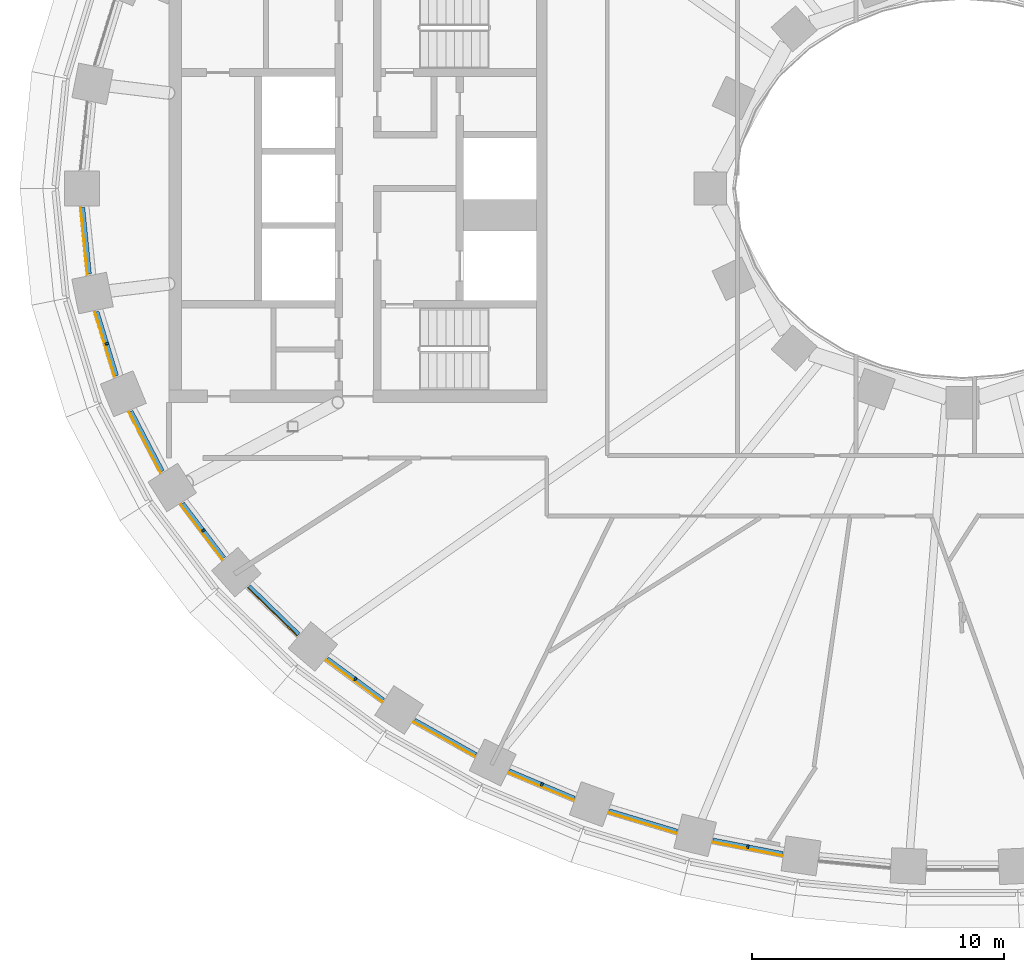
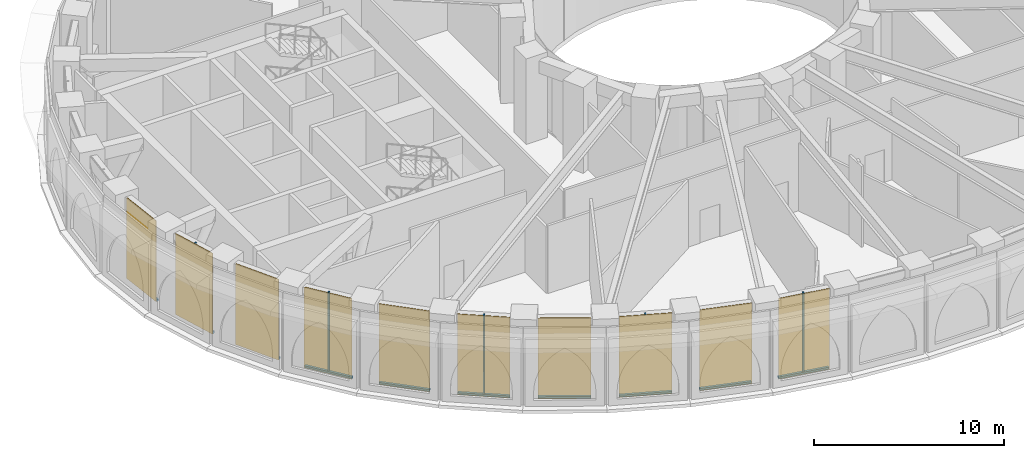
# One storey, part 12 of 25: 15 members, 10 curtain walls.
"""IFC4 building model written with IfcOpenShell, lengths in metres."""

from ifc_helpers import new_model, si_unit, direction, frame, origin, origin_2d, place, context, subcontext, project, spatial, polyline, rectangle, outline, extrude, material, layer, layer_set, material_profile, profile_set, type_object, element, aggregate, save


model = new_model("IFC4")

# Units and contexts
model_context = context("Model", 3, precision=1e-05, world=origin(), true_north=direction((0.0, 1.0)))
body_context = subcontext(model_context, "Body", "Model", "MODEL_VIEW")
ifc_project = project(units=[si_unit("LENGTHUNIT", "METRE"), si_unit("AREAUNIT", "SQUARE_METRE"), si_unit("VOLUMEUNIT", "CUBIC_METRE"), si_unit("PLANEANGLEUNIT", "RADIAN"), si_unit("MASSUNIT", "GRAM", prefix="KILO")], contexts=[model_context])

# Member
ifc_material_1 = material(Name="Aluminium 6063-T6 black anodised", Category="aluminium")
ifc_material_profile = material_profile(ifc_material_1, rectangle(XDim=0.14990234375, YDim=0.080078125, at=origin_2d()), Name="150x80")
ifc_profile_set = profile_set([ifc_material_profile], Name="Aluminium 6063-T6 black anodised")
member_type_1 = type_object("IfcMemberType", Name="ENV-MULLION-B-150", PredefinedType="MULLION", material=ifc_profile_set)
site_placement = place(None, origin())
building_placement = place(site_placement, origin())
storey_placement = place(building_placement, frame((0.0, 0.0, 82.5)))
member_1_placement = place(storey_placement, frame((-33.957275390625, -6.162109375, 0.1201171875), z_axis=(0.0, 0.0, 1.0), x_axis=(0.95636637957, 0.292170066961, 0.0)))
member_1 = element("IfcMember", 1, at=member_1_placement, type_object=member_type_1, Name="Mullion B chord 25", PredefinedType="MULLION", context=body_context, shape_type="SweptSolid", body=[
    extrude(rectangle(XDim=0.14990234375, YDim=0.080078125, at=origin_2d()), origin(), (0.0, 0.0, 1.0), 5.079833984375),
])

member_2_placement = place(storey_placement, frame((-30.12646484375, -13.576171875, 0.1201171875), z_axis=(0.0, 0.0, 1.0), x_axis=(0.796969018776, 0.604020184358, 0.0)))
member_2 = element("IfcMember", 2, at=member_2_placement, type_object=member_type_1, Name="Mullion B chord 27", PredefinedType="MULLION", context=body_context, shape_type="SweptSolid", body=[
    extrude(rectangle(XDim=0.14990234375, YDim=0.080078125, at=origin_2d()), origin(), (0.0, 0.0, 1.0), 5.079833984375),
])

member_3_placement = place(storey_placement, frame((-24.098388671875, -19.474365234375, 0.1201171875), z_axis=(0.0, 0.0, 1.0), x_axis=(0.593067090304, 0.805153045326, 0.0)))
member_3 = element("IfcMember", 3, at=member_3_placement, type_object=member_type_1, Name="Mullion B chord 29", PredefinedType="MULLION", context=body_context, shape_type="SweptSolid", body=[
    extrude(rectangle(XDim=0.14990234375, YDim=0.080078125, at=origin_2d()), origin(), (0.0, 0.0, 1.0), 5.079833984375),
])

member_4_placement = place(storey_placement, frame((-16.69482421875, -23.652587890625, 0.1201171875), z_axis=(0.0, 0.0, 1.0), x_axis=(0.387638279686, 0.921811566494, 0.0)))
member_4 = element("IfcMember", 4, at=member_4_placement, type_object=member_type_1, Name="Mullion B chord 31", PredefinedType="MULLION", context=body_context, shape_type="SweptSolid", body=[
    extrude(rectangle(XDim=0.14990234375, YDim=0.080078125, at=origin_2d()), origin(), (0.0, 0.0, 1.0), 5.079833984375),
])

member_5_placement = place(storey_placement, frame((-8.51953125, -26.12451171875, 0.1201171875), z_axis=(0.0, 0.0, 1.0), x_axis=(0.190820470077, 0.981624952922, 0.0)))
member_5 = element("IfcMember", 5, at=member_5_placement, type_object=member_type_1, Name="Mullion B chord 33", PredefinedType="MULLION", context=body_context, shape_type="SweptSolid", body=[
    extrude(rectangle(XDim=0.14990234375, YDim=0.080078125, at=origin_2d()), origin(), (0.0, 0.0, 1.0), 5.079833984375),
])

ifc_material_2 = material(Name="Aluminium 6063-T6 black anodised", Category="aluminium")
member_type_2 = type_object("IfcMemberType", Name="ENV-TRANSOM-B", PredefinedType="USERDEFINED", material=ifc_material_2)
member_6_placement = place(storey_placement, origin())
member_6 = element("IfcMember", 6, at=member_6_placement, type_object=member_type_2, Name="Transom B radial 24-25", ObjectType="TRANSOM", PredefinedType="USERDEFINED", context=body_context, shape_type="SweptSolid", body=[
    extrude(outline(polyline([(-34.986572265625, -0.7626953125), (-34.7197265625, -3.412841796875), (-34.572021484375, -3.383056640625), (-34.835693359375, -0.7626953125), (-34.986572265625, -0.7626953125)])), origin(), (0.0, 0.0, 1.0), 0.1201171875),
])

member_7_placement = place(storey_placement, origin())
member_7 = element("IfcMember", 7, at=member_7_placement, type_object=member_type_2, Name="Transom B radial 25-26", ObjectType="TRANSOM", PredefinedType="USERDEFINED", context=body_context, shape_type="SweptSolid", body=[
    extrude(outline(polyline([(-34.41943359375, -4.90576171875), (-33.63720703125, -7.46630859375), (-33.497802734375, -7.4091796875), (-34.271728515625, -4.876220703125), (-34.41943359375, -4.90576171875)])), origin(), (0.0, 0.0, 1.0), 0.1201171875),
])

member_8_placement = place(storey_placement, origin())
member_8 = element("IfcMember", 8, at=member_8_placement, type_object=member_type_2, Name="Transom B radial 26-27", ObjectType="TRANSOM", PredefinedType="USERDEFINED", context=body_context, shape_type="SweptSolid", body=[
    extrude(outline(polyline([(-33.06298828125, -8.869384765625), (-31.814697265625, -11.263916015625), (-31.6875, -11.183349609375), (-32.923583984375, -8.812255859375), (-33.06298828125, -8.869384765625)])), origin(), (0.0, 0.0, 1.0), 0.1201171875),
])

member_9_placement = place(storey_placement, origin())
member_9 = element("IfcMember", 9, at=member_9_placement, type_object=member_type_2, Name="Transom B radial 27-28", ObjectType="TRANSOM", PredefinedType="USERDEFINED", context=body_context, shape_type="SweptSolid", body=[
    extrude(outline(polyline([(-31.00830078125, -12.537109375), (-29.361083984375, -14.710693359375), (-29.248291015625, -14.61083984375), (-30.881103515625, -12.456298828125), (-31.00830078125, -12.537109375)])), origin(), (0.0, 0.0, 1.0), 0.1201171875),
])

member_10_placement = place(storey_placement, origin())
member_10 = element("IfcMember", 10, at=member_10_placement, type_object=member_type_2, Name="Transom B radial 28-29", ObjectType="TRANSOM", PredefinedType="USERDEFINED", context=body_context, shape_type="SweptSolid", body=[
    extrude(outline(polyline([(-28.368896484375, -15.83203125), (-26.394287109375, -17.750732421875), (-26.297119140625, -17.635986328125), (-28.25634765625, -15.732421875), (-28.368896484375, -15.83203125)])), origin(), (0.0, 0.0, 1.0), 0.1201171875),
])

member_11_placement = place(storey_placement, origin())
member_11 = element("IfcMember", 11, at=member_11_placement, type_object=member_type_2, Name="Transom B radial 29-30", ObjectType="TRANSOM", PredefinedType="USERDEFINED", context=body_context, shape_type="SweptSolid", body=[
    extrude(outline(polyline([(-25.258544921875, -18.712890625), (-23.0234375, -20.359375), (-22.94189453125, -20.233154296875), (-25.161376953125, -18.59814453125), (-25.258544921875, -18.712890625)])), origin(), (0.0, 0.0, 1.0), 0.1201171875),
])

member_12_placement = place(storey_placement, origin())
member_12 = element("IfcMember", 12, at=member_12_placement, type_object=member_type_2, Name="Transom B radial 30-31", ObjectType="TRANSOM", PredefinedType="USERDEFINED", context=body_context, shape_type="SweptSolid", body=[
    extrude(outline(polyline([(-21.779296875, -21.162353515625), (-19.34228515625, -22.530029296875), (-19.276123046875, -22.395263671875), (-21.69775390625, -21.0361328125), (-21.779296875, -21.162353515625)])), origin(), (0.0, 0.0, 1.0), 0.1201171875),
])

member_13_placement = place(storey_placement, origin())
member_13 = element("IfcMember", 13, at=member_13_placement, type_object=member_type_2, Name="Transom B radial 31-32", ObjectType="TRANSOM", PredefinedType="USERDEFINED", context=body_context, shape_type="SweptSolid", body=[
    extrude(outline(polyline([(-18.017333984375, -23.177734375), (-15.427978515625, -24.266845703125), (-15.377197265625, -24.12548828125), (-17.951416015625, -23.04296875), (-18.017333984375, -23.177734375)])), origin(), (0.0, 0.0, 1.0), 0.1201171875),
])

member_14_placement = place(storey_placement, origin())
member_14 = element("IfcMember", 14, at=member_14_placement, type_object=member_type_2, Name="Transom B radial 32-33", ObjectType="TRANSOM", PredefinedType="USERDEFINED", context=body_context, shape_type="SweptSolid", body=[
    extrude(outline(polyline([(-14.044677734375, -24.76416015625), (-11.344482421875, -25.57666015625), (-11.30859375, -25.430908203125), (-13.993896484375, -24.622802734375), (-14.044677734375, -24.76416015625)])), origin(), (0.0, 0.0, 1.0), 0.1201171875),
])

member_15_placement = place(storey_placement, origin())
member_15 = element("IfcMember", 15, at=member_15_placement, type_object=member_type_2, Name="Transom B radial 33-34", ObjectType="TRANSOM", PredefinedType="USERDEFINED", context=body_context, shape_type="SweptSolid", body=[
    extrude(outline(polyline([(-9.9208984375, -25.928466796875), (-7.145751953125, -26.468017578125), (-7.124267578125, -26.319091796875), (-9.884765625, -25.78271484375), (-9.9208984375, -25.928466796875)])), origin(), (0.0, 0.0, 1.0), 0.1201171875),
])

# Site, building, storey
site = spatial("IfcSite", under=ifc_project, at=site_placement, CompositionType="ELEMENT")
building = spatial("IfcBuilding", under=site, at=building_placement, Name="Noorbagh Ring Tower", CompositionType="ELEMENT")
storey = spatial("IfcBuildingStorey", under=building, at=storey_placement, Name="L18", CompositionType="ELEMENT", Elevation=82.5)

# Curtain wall
ifc_material_3 = material(Name="Glass dark tinted laminated", Category="glass")
ifc_layer = layer(ifc_material_3, 0.031982421875)
ifc_layer_set = layer_set([ifc_layer], Name="Glass dark tinted laminated")
curtain_wall_type = type_object("IfcCurtainWallType", Name="ENV-CW-B", PredefinedType="NOTDEFINED", material=ifc_layer_set)
curtain_wall_1_placement = place(storey_placement, origin())
curtain_wall_1 = element("IfcCurtainWall", 16, at=curtain_wall_1_placement, inside=storey, type_object=curtain_wall_type, Name="Curtain wall B R24", PredefinedType="NOTDEFINED", context=body_context, shape_type="SweptSolid", body=[
    extrude(outline(polyline([(-35.018798828125, -0.7626953125), (-34.751220703125, -3.419189453125), (-34.7197265625, -3.412841796875), (-34.986572265625, -0.7626953125), (-35.018798828125, -0.7626953125)])), origin(), (0.0, 0.0, 1.0), 5.199951171875),
])

aggregate(curtain_wall_1, [member_6])

curtain_wall_2_placement = place(storey_placement, origin())
curtain_wall_2 = element("IfcCurtainWall", 17, at=curtain_wall_2_placement, inside=storey, type_object=curtain_wall_type, Name="Curtain wall B R25", PredefinedType="NOTDEFINED", context=body_context, shape_type="SweptSolid", body=[
    extrude(outline(polyline([(-34.450927734375, -4.912109375), (-33.6669921875, -7.478515625), (-33.63720703125, -7.46630859375), (-34.41943359375, -4.90576171875), (-34.450927734375, -4.912109375)])), origin(), (0.0, 0.0, 1.0), 5.199951171875),
])

aggregate(curtain_wall_2, [member_1, member_7])

curtain_wall_3_placement = place(storey_placement, origin())
curtain_wall_3 = element("IfcCurtainWall", 18, at=curtain_wall_3_placement, inside=storey, type_object=curtain_wall_type, Name="Curtain wall B R26", PredefinedType="NOTDEFINED", context=body_context, shape_type="SweptSolid", body=[
    extrude(outline(polyline([(-33.0927734375, -8.88134765625), (-31.841796875, -11.281005859375), (-31.814697265625, -11.263916015625), (-33.06298828125, -8.869384765625), (-33.0927734375, -8.88134765625)])), origin(), (0.0, 0.0, 1.0), 5.199951171875),
])

aggregate(curtain_wall_3, [member_8])

curtain_wall_4_placement = place(storey_placement, origin())
curtain_wall_4 = element("IfcCurtainWall", 19, at=curtain_wall_4_placement, inside=storey, type_object=curtain_wall_type, Name="Curtain wall B R27", PredefinedType="NOTDEFINED", context=body_context, shape_type="SweptSolid", body=[
    extrude(outline(polyline([(-31.035400390625, -12.55419921875), (-29.385009765625, -14.731689453125), (-29.361083984375, -14.710693359375), (-31.00830078125, -12.537109375), (-31.035400390625, -12.55419921875)])), origin(), (0.0, 0.0, 1.0), 5.199951171875),
])

aggregate(curtain_wall_4, [member_2, member_9])

curtain_wall_5_placement = place(storey_placement, origin())
curtain_wall_5 = element("IfcCurtainWall", 20, at=curtain_wall_5_placement, inside=storey, type_object=curtain_wall_type, Name="Curtain wall B R28", PredefinedType="NOTDEFINED", context=body_context, shape_type="SweptSolid", body=[
    extrude(outline(polyline([(-28.39306640625, -15.853515625), (-26.414794921875, -17.775146484375), (-26.394287109375, -17.750732421875), (-28.368896484375, -15.83203125), (-28.39306640625, -15.853515625)])), origin(), (0.0, 0.0, 1.0), 5.199951171875),
])

aggregate(curtain_wall_5, [member_10])

curtain_wall_6_placement = place(storey_placement, origin())
curtain_wall_6 = element("IfcCurtainWall", 21, at=curtain_wall_6_placement, inside=storey, type_object=curtain_wall_type, Name="Curtain wall B R29", PredefinedType="NOTDEFINED", context=body_context, shape_type="SweptSolid", body=[
    extrude(outline(polyline([(-25.279296875, -18.7373046875), (-23.040771484375, -20.38623046875), (-23.0234375, -20.359375), (-25.258544921875, -18.712890625), (-25.279296875, -18.7373046875)])), origin(), (0.0, 0.0, 1.0), 5.199951171875),
])

aggregate(curtain_wall_6, [member_3, member_11])

curtain_wall_7_placement = place(storey_placement, origin())
curtain_wall_7 = element("IfcCurtainWall", 22, at=curtain_wall_7_placement, inside=storey, type_object=curtain_wall_type, Name="Curtain wall B R30", PredefinedType="NOTDEFINED", context=body_context, shape_type="SweptSolid", body=[
    extrude(outline(polyline([(-21.796630859375, -21.189208984375), (-19.356201171875, -22.558837890625), (-19.34228515625, -22.530029296875), (-21.779296875, -21.162353515625), (-21.796630859375, -21.189208984375)])), origin(), (0.0, 0.0, 1.0), 5.199951171875),
])

aggregate(curtain_wall_7, [member_12])

curtain_wall_8_placement = place(storey_placement, origin())
curtain_wall_8 = element("IfcCurtainWall", 23, at=curtain_wall_8_placement, inside=storey, type_object=curtain_wall_type, Name="Curtain wall B R31", PredefinedType="NOTDEFINED", context=body_context, shape_type="SweptSolid", body=[
    extrude(outline(polyline([(-18.031494140625, -23.20654296875), (-15.438720703125, -24.296875), (-15.427978515625, -24.266845703125), (-18.017333984375, -23.177734375), (-18.031494140625, -23.20654296875)])), origin(), (0.0, 0.0, 1.0), 5.199951171875),
])

aggregate(curtain_wall_8, [member_4, member_13])

curtain_wall_9_placement = place(storey_placement, origin())
curtain_wall_9 = element("IfcCurtainWall", 24, at=curtain_wall_9_placement, inside=storey, type_object=curtain_wall_type, Name="Curtain wall B R32", PredefinedType="NOTDEFINED", context=body_context, shape_type="SweptSolid", body=[
    extrude(outline(polyline([(-14.0556640625, -24.794189453125), (-11.352294921875, -25.60791015625), (-11.344482421875, -25.57666015625), (-14.044677734375, -24.76416015625), (-14.0556640625, -24.794189453125)])), origin(), (0.0, 0.0, 1.0), 5.199951171875),
])

aggregate(curtain_wall_9, [member_14])

curtain_wall_10_placement = place(storey_placement, origin())
curtain_wall_10 = element("IfcCurtainWall", 25, at=curtain_wall_10_placement, inside=storey, type_object=curtain_wall_type, Name="Curtain wall B R33", PredefinedType="NOTDEFINED", context=body_context, shape_type="SweptSolid", body=[
    extrude(outline(polyline([(-9.928466796875, -25.95947265625), (-7.150390625, -26.49951171875), (-7.145751953125, -26.468017578125), (-9.9208984375, -25.928466796875), (-9.928466796875, -25.95947265625)])), origin(), (0.0, 0.0, 1.0), 5.199951171875),
])

aggregate(curtain_wall_10, [member_5, member_15])

save(model, "model.ifc")
